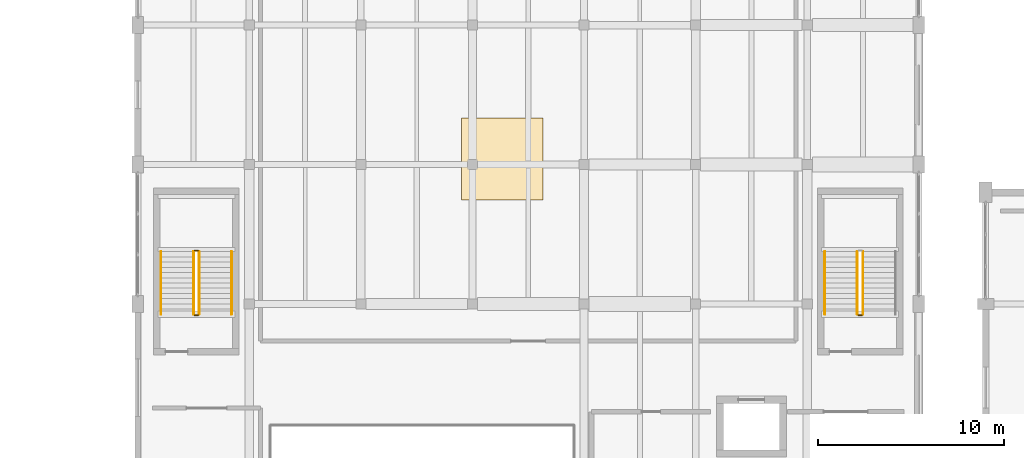
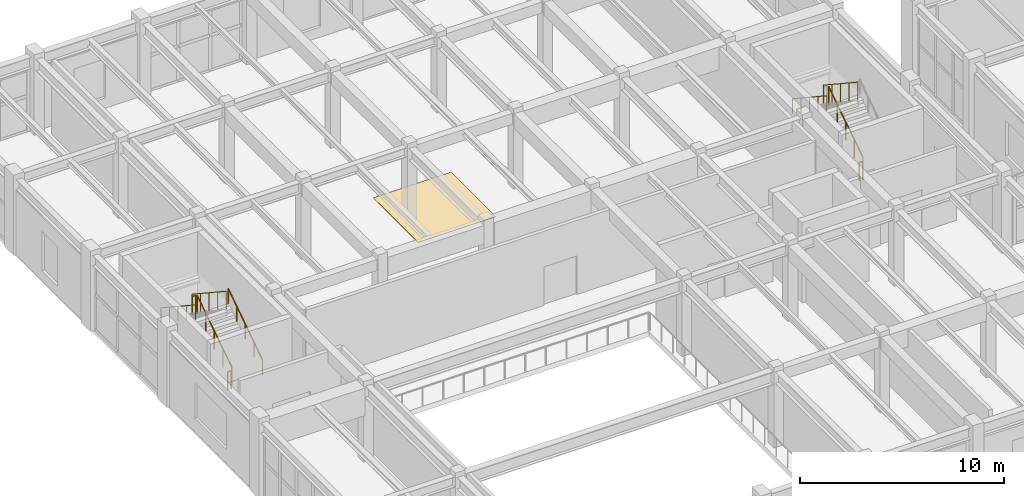
# One storey, part 92 of 96: 10 railings, 1 covering.
"""IFC4 building model written with IfcOpenShell, lengths in metres."""

from ifc_helpers import new_model, si_unit, direction, frame, origin, origin_2d, place, context, subcontext, project, spatial, polyline, circle, outline, extrude, material, layer, layer_set, type_object, element, save


model = new_model("IFC4")

# Units and contexts
model_context = context("Model", 3, precision=1e-05, world=origin(), true_north=direction((0.0, 1.0)))
body_context = subcontext(model_context, "Body", "Model", "MODEL_VIEW")
ifc_project = project(units=[si_unit("LENGTHUNIT", "METRE"), si_unit("AREAUNIT", "SQUARE_METRE"), si_unit("VOLUMEUNIT", "CUBIC_METRE"), si_unit("PLANEANGLEUNIT", "RADIAN"), si_unit("MASSUNIT", "GRAM", prefix="KILO")], contexts=[model_context])

# Site, building, storey
site_placement = place(None, origin())
site = spatial("IfcSite", under=ifc_project, at=site_placement, CompositionType="ELEMENT")
building_placement = place(site_placement, origin())
building = spatial("IfcBuilding", under=site, at=building_placement, Name="Vaelkrest Opera House", CompositionType="ELEMENT")
storey_placement = place(building_placement, frame((0.0, 0.0, 5.39990234375)))
storey = spatial("IfcBuildingStorey", under=building, at=storey_placement, Name="L01", CompositionType="ELEMENT", Elevation=5.39990234375)

# Covering
ifc_material_1 = material(Name="Douglas fir glulam GL28h", Category="wood")
ifc_layer = layer(ifc_material_1, 0.02490234375)
ifc_layer_set = layer_set([ifc_layer], Name="Douglas fir glulam GL28h")
covering_type = type_object("IfcCoveringType", Name="COV-FLR01", PredefinedType="FLOORING", material=ifc_layer_set)
covering_placement = place(storey_placement, origin())
element("IfcCovering", 1, at=covering_placement, inside=storey, type_object=covering_type, Name="Sprung Douglas fir stage flooring 06", PredefinedType="FLOORING", context=body_context, shape_type="SweptSolid", body=[
    extrude(outline(polyline([(-58.199951171875, 15.800048828125), (-53.800048828125, 15.800048828125), (-53.800048828125, 20.199951171875), (-58.199951171875, 20.199951171875), (-58.199951171875, 15.800048828125)])), origin(), (0.0, 0.0, 1.0), 0.025146484375),
])

# Railings
ifc_material_2 = material(Name="Dark bronze anodized aluminium", Category="aluminium")
railing_type_1 = type_object("IfcRailingType", Name="GR02", PredefinedType="GUARDRAIL", material=ifc_material_2)
railing_1_placement = place(storey_placement, frame((-72.300048828125, 9.64990234375, 0.184814453125)))
element("IfcRailing", 2, at=railing_1_placement, inside=storey, type_object=railing_type_1, Name="L01 ST07 stair guard 1", PredefinedType="GUARDRAIL", context=body_context, shape_type="SweptSolid", body=[
    extrude(circle(Radius=0.02392578125, at=origin_2d()), frame((0.0, 0.0, 1.076171875), z_axis=(0.0, 0.834876476806, 0.550437342915), x_axis=(-1.0, 0.0, 0.0)), (0.0, 0.0, 1.0), 4.024658203125),
    extrude(circle(Radius=0.02099609375, at=origin_2d()), origin(), (0.0, 0.0, 1.0), 1.052001953125),
    extrude(circle(Radius=0.02099609375, at=origin_2d()), frame((0.0, 0.840087890625, 0.5537109375)), (0.0, 0.0, 1.0), 1.052001953125),
    extrude(circle(Radius=0.02099609375, at=origin_2d()), frame((0.0, 1.68017578125, 1.107666015625)), (0.0, 0.0, 1.0), 1.052001953125),
    extrude(circle(Radius=0.02099609375, at=origin_2d()), frame((0.0, 2.52001953125, 1.66162109375)), (0.0, 0.0, 1.0), 1.052001953125),
    extrude(circle(Radius=0.02099609375, at=origin_2d()), frame((0.0, 3.360107421875, 2.21533203125)), (0.0, 0.0, 1.0), 1.052001953125),
])
railing_2_placement = place(storey_placement, frame((-72.35009765625, 13.06005859375, 2.400146484375)))
element("IfcRailing", 3, at=railing_2_placement, inside=storey, type_object=railing_type_1, Name="L01 ST07 stair guard 2", PredefinedType="GUARDRAIL", context=body_context, shape_type="SweptSolid", body=[
    extrude(circle(Radius=0.02392578125, at=origin_2d()), frame((0.0, 0.0, 1.076171875), z_axis=(-1.0, 0.0, 0.0), x_axis=(0.0, -1.0, 0.0)), (0.0, 0.0, 1.0), 0.199951171875),
    extrude(circle(Radius=0.02099609375, at=origin_2d()), origin(), (0.0, 0.0, 1.0), 1.052001953125),
    extrude(circle(Radius=0.02099609375, at=origin_2d()), frame((-0.199951171875, 0.0, 0.0)), (0.0, 0.0, 1.0), 1.052001953125),
])
railing_3_placement = place(storey_placement, frame((-72.60009765625, 13.010009765625, 2.584716796875)))
element("IfcRailing", 4, at=railing_3_placement, inside=storey, type_object=railing_type_1, Name="L01 ST07 stair guard 3", PredefinedType="GUARDRAIL", context=body_context, shape_type="SweptSolid", body=[
    extrude(circle(Radius=0.02392578125, at=origin_2d()), frame((0.0, 0.0, 1.076171875), z_axis=(0.0, -0.834876476806, 0.550437342915), x_axis=(1.0, 0.0, 0.0)), (0.0, 0.0, 1.0), 4.024658203125),
    extrude(circle(Radius=0.02099609375, at=origin_2d()), origin(), (0.0, 0.0, 1.0), 1.052001953125),
    extrude(circle(Radius=0.02099609375, at=origin_2d()), frame((0.0, -0.840087890625, 0.5537109375)), (0.0, 0.0, 1.0), 1.052001953125),
    extrude(circle(Radius=0.02099609375, at=origin_2d()), frame((0.0, -1.68017578125, 1.107666015625)), (0.0, 0.0, 1.0), 1.052001953125),
    extrude(circle(Radius=0.02099609375, at=origin_2d()), frame((0.0, -2.52001953125, 1.66162109375)), (0.0, 0.0, 1.0), 1.052001953125),
    extrude(circle(Radius=0.02099609375, at=origin_2d()), frame((0.0, -3.360107421875, 2.21533203125)), (0.0, 0.0, 1.0), 1.052001953125),
])
railing_4_placement = place(storey_placement, frame((-72.35009765625, 9.60009765625, 0.0)))
element("IfcRailing", 5, at=railing_4_placement, inside=storey, type_object=railing_type_1, Name="L01 ST07 stair guard 4", PredefinedType="GUARDRAIL", context=body_context, shape_type="SweptSolid", body=[
    extrude(circle(Radius=0.02392578125, at=origin_2d()), frame((0.0, 0.0, 1.076171875), z_axis=(-1.0, 0.0, 0.0), x_axis=(0.0, -1.0, 0.0)), (0.0, 0.0, 1.0), 0.199951171875),
    extrude(circle(Radius=0.02099609375, at=origin_2d()), origin(), (0.0, 0.0, 1.0), 1.052001953125),
    extrude(circle(Radius=0.02099609375, at=origin_2d()), frame((-0.199951171875, 0.0, 0.0)), (0.0, 0.0, 1.0), 1.052001953125),
])
railing_5_placement = place(storey_placement, frame((-36.60009765625, 9.64990234375, 0.184814453125)))
element("IfcRailing", 6, at=railing_5_placement, inside=storey, type_object=railing_type_1, Name="L01 ST08 stair guard 1", PredefinedType="GUARDRAIL", context=body_context, shape_type="SweptSolid", body=[
    extrude(circle(Radius=0.02392578125, at=origin_2d()), frame((0.0, 0.0, 1.076171875), z_axis=(0.0, 0.834876476806, 0.550437342915), x_axis=(-1.0, 0.0, 0.0)), (0.0, 0.0, 1.0), 4.024658203125),
    extrude(circle(Radius=0.02099609375, at=origin_2d()), origin(), (0.0, 0.0, 1.0), 1.052001953125),
    extrude(circle(Radius=0.02099609375, at=origin_2d()), frame((0.0, 0.840087890625, 0.5537109375)), (0.0, 0.0, 1.0), 1.052001953125),
    extrude(circle(Radius=0.02099609375, at=origin_2d()), frame((0.0, 1.68017578125, 1.107666015625)), (0.0, 0.0, 1.0), 1.052001953125),
    extrude(circle(Radius=0.02099609375, at=origin_2d()), frame((0.0, 2.52001953125, 1.66162109375)), (0.0, 0.0, 1.0), 1.052001953125),
    extrude(circle(Radius=0.02099609375, at=origin_2d()), frame((0.0, 3.360107421875, 2.21533203125)), (0.0, 0.0, 1.0), 1.052001953125),
])
railing_6_placement = place(storey_placement, frame((-36.89990234375, 13.010009765625, 2.584716796875)))
element("IfcRailing", 7, at=railing_6_placement, inside=storey, type_object=railing_type_1, Name="L01 ST08 stair guard 3", PredefinedType="GUARDRAIL", context=body_context, shape_type="SweptSolid", body=[
    extrude(circle(Radius=0.02392578125, at=origin_2d()), frame((0.0, 0.0, 1.076171875), z_axis=(0.0, -0.834876476806, 0.550437342915), x_axis=(1.0, 0.0, 0.0)), (0.0, 0.0, 1.0), 4.024658203125),
    extrude(circle(Radius=0.02099609375, at=origin_2d()), origin(), (0.0, 0.0, 1.0), 1.052001953125),
    extrude(circle(Radius=0.02099609375, at=origin_2d()), frame((0.0, -0.840087890625, 0.5537109375)), (0.0, 0.0, 1.0), 1.052001953125),
    extrude(circle(Radius=0.02099609375, at=origin_2d()), frame((0.0, -1.68017578125, 1.107666015625)), (0.0, 0.0, 1.0), 1.052001953125),
    extrude(circle(Radius=0.02099609375, at=origin_2d()), frame((0.0, -2.52001953125, 1.66162109375)), (0.0, 0.0, 1.0), 1.052001953125),
    extrude(circle(Radius=0.02099609375, at=origin_2d()), frame((0.0, -3.360107421875, 2.21533203125)), (0.0, 0.0, 1.0), 1.052001953125),
])
railing_7_placement = place(storey_placement, frame((-36.64990234375, 9.60009765625, 0.0)))
element("IfcRailing", 8, at=railing_7_placement, inside=storey, type_object=railing_type_1, Name="L01 ST08 stair guard 4", PredefinedType="GUARDRAIL", context=body_context, shape_type="SweptSolid", body=[
    extrude(circle(Radius=0.02392578125, at=origin_2d()), frame((0.0, 0.0, 1.076171875), z_axis=(-1.0, 0.0, 0.0), x_axis=(0.0, -1.0, 0.0)), (0.0, 0.0, 1.0), 0.2001953125),
    extrude(circle(Radius=0.02099609375, at=origin_2d()), origin(), (0.0, 0.0, 1.0), 1.052001953125),
    extrude(circle(Radius=0.02099609375, at=origin_2d()), frame((-0.2001953125, 0.0, 0.0)), (0.0, 0.0, 1.0), 1.052001953125),
])
railing_type_2 = type_object("IfcRailingType", Name="HR02", PredefinedType="HANDRAIL", material=ifc_material_2)
railing_8_placement = place(storey_placement, frame((-70.550048828125, 9.64990234375, 0.184814453125)))
element("IfcRailing", 9, at=railing_8_placement, inside=storey, type_object=railing_type_2, Name="L01 ST07 stair handrail 1", PredefinedType="HANDRAIL", context=body_context, shape_type="SweptSolid", body=[
    extrude(circle(Radius=0.02392578125, at=origin_2d()), frame((0.0, 0.0, 0.8759765625), z_axis=(0.0, 0.834876476806, 0.550437342915), x_axis=(-1.0, 0.0, 0.0)), (0.0, 0.0, 1.0), 4.024658203125),
    extrude(circle(Radius=0.02099609375, at=origin_2d()), origin(), (0.0, 0.0, 1.0), 0.851806640625),
    extrude(circle(Radius=0.02099609375, at=origin_2d()), frame((0.0, 0.840087890625, 0.5537109375)), (0.0, 0.0, 1.0), 0.851806640625),
    extrude(circle(Radius=0.02099609375, at=origin_2d()), frame((0.0, 1.68017578125, 1.107666015625)), (0.0, 0.0, 1.0), 0.851806640625),
    extrude(circle(Radius=0.02099609375, at=origin_2d()), frame((0.0, 2.52001953125, 1.66162109375)), (0.0, 0.0, 1.0), 0.851806640625),
    extrude(circle(Radius=0.02099609375, at=origin_2d()), frame((0.0, 3.360107421875, 2.21533203125)), (0.0, 0.0, 1.0), 0.851806640625),
])
for number, where, name in (
    (10, (-74.35009765625, 13.010009765625, 2.584716796875), "L01 ST07 stair handrail 2"),
    (11, (-38.64990234375, 13.010009765625, 2.584716796875), "L01 ST08 stair handrail 2"),
):
    element("IfcRailing", number, at=place(storey_placement, frame(where)), inside=storey, type_object=railing_type_2, Name=name, PredefinedType="HANDRAIL", context=body_context, shape_type="SweptSolid", body=[
        extrude(circle(Radius=0.02392578125, at=origin_2d()), frame((0.0, 0.0, 0.8759765625), z_axis=(0.0, -0.834876476806, 0.550437342915), x_axis=(1.0, 0.0, 0.0)), (0.0, 0.0, 1.0), 4.024658203125),
        extrude(circle(Radius=0.02099609375, at=origin_2d()), origin(), (0.0, 0.0, 1.0), 0.851806640625),
        extrude(circle(Radius=0.02099609375, at=origin_2d()), frame((0.0, -0.840087890625, 0.5537109375)), (0.0, 0.0, 1.0), 0.851806640625),
        extrude(circle(Radius=0.02099609375, at=origin_2d()), frame((0.0, -1.68017578125, 1.107666015625)), (0.0, 0.0, 1.0), 0.851806640625),
        extrude(circle(Radius=0.02099609375, at=origin_2d()), frame((0.0, -2.52001953125, 1.66162109375)), (0.0, 0.0, 1.0), 0.851806640625),
        extrude(circle(Radius=0.02099609375, at=origin_2d()), frame((0.0, -3.360107421875, 2.21533203125)), (0.0, 0.0, 1.0), 0.851806640625),
    ])

save(model, "model.ifc")
